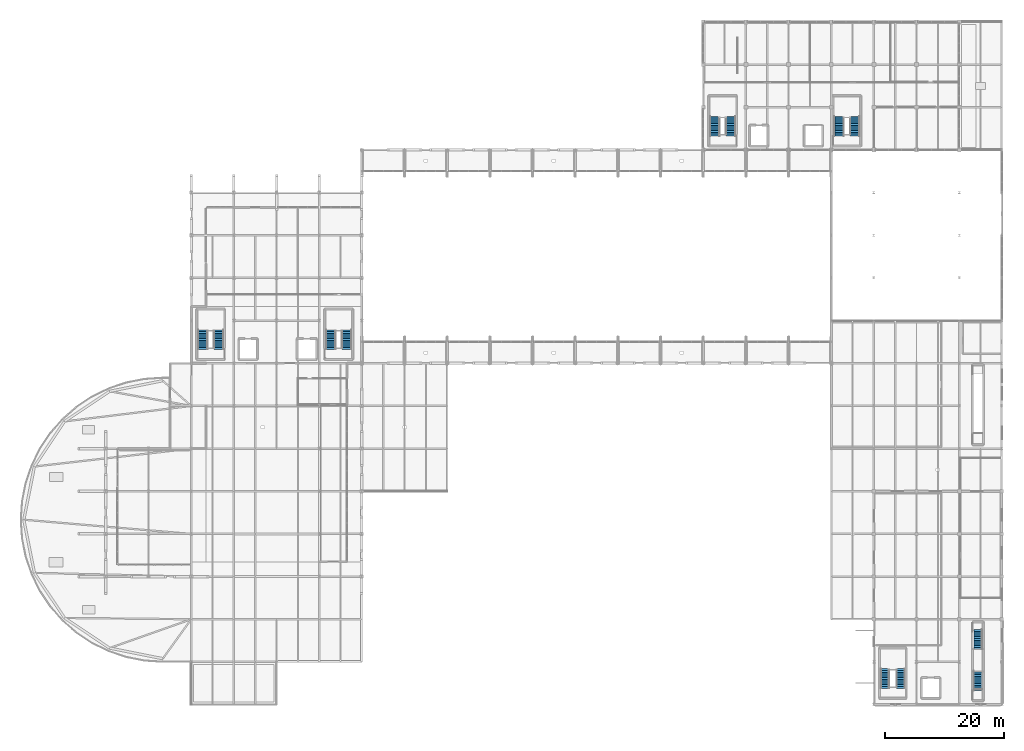
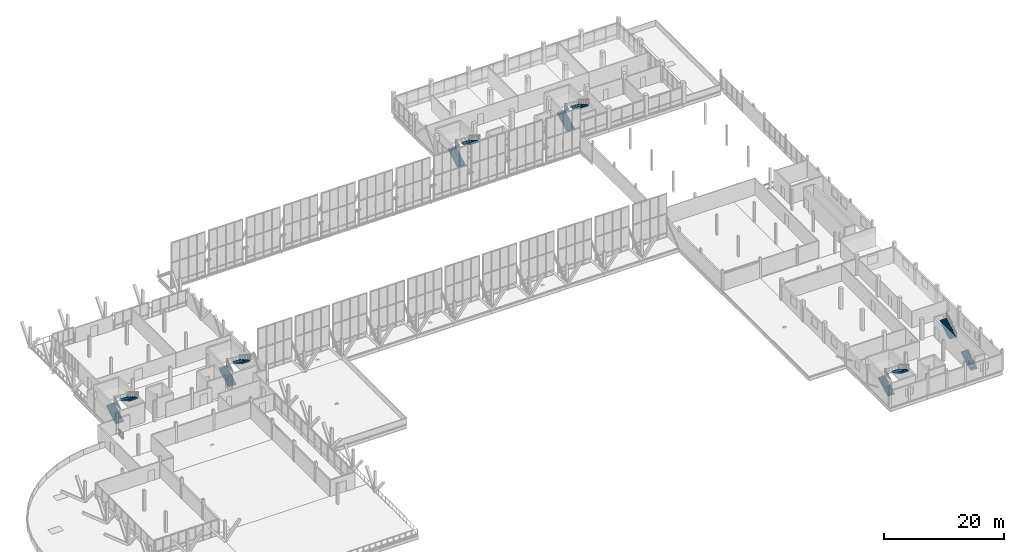
# One storey, part 97 of 102: 12 stair flights, 6 elements without a shape of their own.
"""IFC4 building model written with IfcOpenShell, lengths in metres."""

import ifcopenshell
import ifcopenshell.guid

model = None  # the IFC model being written
_history = None  # IfcOwnerHistory: only IFC2X3 demands one
_inside = {}  # id of a spatial element -> (the spatial element, [elements in it])
_under = {}  # id of a project, library or spatial element -> (it, [spatial elements below it])
_declared = {}  # id of a project -> (the project, [libraries it declares])
_typed = {}  # id of a type object -> (the type object, [elements of that type])
_made_of = {}  # id of a material, layer set ... -> (it, [elements and type objects made of it])


def new_model(schema):
    """Start an empty IFC model of exactly this schema.

    Asked for "IFC4X3", IfcOpenShell would pick the latest addendum, in which some entities
    have other attributes; the version numbers below select the first issue.
    IFC2X3 requires an IfcOwnerHistory on every rooted entity: one is made here for all.
    """
    global model, _history
    if schema == "IFC4X3":
        model = ifcopenshell.file(schema_version=(4, 3, 0, 0))
    else:
        model = ifcopenshell.file(schema=schema)
    _inside.clear()
    _under.clear()
    _declared.clear()
    _typed.clear()
    _made_of.clear()
    _history = None
    if model.schema == "IFC2X3":
        org = make("IfcOrganization", Name="unknown")
        user = make(
            "IfcPersonAndOrganization",
            ThePerson=make("IfcPerson", FamilyName="unknown"),
            TheOrganization=org,
        )
        app = make(
            "IfcApplication",
            ApplicationDeveloper=org,
            Version="unknown",
            ApplicationFullName="unknown",
            ApplicationIdentifier="unknown",
        )
        _history = make(
            "IfcOwnerHistory",
            OwningUser=user,
            OwningApplication=app,
            ChangeAction="ADDED",
            CreationDate=0,
        )
    return model


def make(cls, **values):
    """One entity of the class cls with the attributes given. An attribute that is None is left unset."""
    return model.create_entity(
        cls, **{name: value for name, value in values.items() if value is not None}
    )


def rooted(cls, **values):
    """An entity with a GlobalId (a new one), such as an element, a storey or a relation."""
    return make(cls, GlobalId=ifcopenshell.guid.new(), OwnerHistory=_history, **values)


def si_unit(unit_type, name, prefix=None):
    """IfcSIUnit, for example si_unit("LENGTHUNIT", "METRE", prefix="MILLI")."""
    return make("IfcSIUnit", UnitType=unit_type, Prefix=prefix, Name=name)


def assignment(units):
    """IfcUnitAssignment: the units of a project."""
    return None if units is None else make("IfcUnitAssignment", Units=units)


def point(xyz):
    """IfcCartesianPoint."""
    return None if xyz is None else make("IfcCartesianPoint", Coordinates=xyz)


def direction(xyz):
    """IfcDirection."""
    return None if xyz is None else make("IfcDirection", DirectionRatios=xyz)


def frame(location, z_axis=None, x_axis=None):
    """IfcAxis2Placement3D, a coordinate frame: its origin and axes. An axis left out is left unset."""
    return make(
        "IfcAxis2Placement3D",
        Location=point(location),
        Axis=direction(z_axis),
        RefDirection=direction(x_axis),
    )


def origin():
    """The frame at (0, 0, 0) with its axes left unset."""
    return frame((0.0, 0.0, 0.0))


def place(relative_to, where):
    """IfcLocalPlacement: puts the frame where relative to a parent placement (None: the world)."""
    return make(
        "IfcLocalPlacement", PlacementRelTo=relative_to, RelativePlacement=where
    )


def context(
    kind, dimensions, precision=None, world=None, true_north=None, identifier=None
):
    """IfcGeometricRepresentationContext, for example the 3D "Model" context."""
    return make(
        "IfcGeometricRepresentationContext",
        ContextIdentifier=identifier,
        ContextType=kind,
        CoordinateSpaceDimension=dimensions,
        Precision=precision,
        WorldCoordinateSystem=world,
        TrueNorth=true_north,
    )


def subcontext(parent, identifier, kind, view, scale=None):
    """IfcGeometricRepresentationSubContext, for example "Body" below "Model"."""
    return make(
        "IfcGeometricRepresentationSubContext",
        ContextIdentifier=identifier,
        ContextType=kind,
        ParentContext=parent,
        TargetScale=scale,
        TargetView=view,
    )


def project(units=None, contexts=None):
    """IfcProject with its units and contexts."""
    return rooted(
        "IfcProject",
        Name="project",
        RepresentationContexts=contexts,
        UnitsInContext=assignment(units),
    )


def spatial(cls, under=None, at=None, **own):
    """A site, building, storey or space (cls), placed at a placement, below another one or the project."""
    s = rooted(cls, ObjectPlacement=at, **own)
    if under is not None:
        _under.setdefault(under.id(), (under, []))[1].append(s)
    return s


def polyline(points):
    """IfcPolyline through the points."""
    return make("IfcPolyline", Points=[point(p) for p in points])


def outline(outer, holes=None, kind="AREA"):
    """IfcArbitraryClosedProfileDef: a profile drawn as a closed curve; with holes, ...WithVoids."""
    if holes is None:
        return make("IfcArbitraryClosedProfileDef", ProfileType=kind, OuterCurve=outer)
    return make(
        "IfcArbitraryProfileDefWithVoids",
        ProfileType=kind,
        OuterCurve=outer,
        InnerCurves=holes,
    )


def extrude(swept, where, along, depth):
    """IfcExtrudedAreaSolid: the profile swept, set in the frame where, extruded along a direction by depth."""
    return make(
        "IfcExtrudedAreaSolid",
        SweptArea=swept,
        Position=where,
        ExtrudedDirection=direction(along),
        Depth=depth,
    )


def shape(context_of_items, identifier, shape_type, items):
    """IfcShapeRepresentation: the items that make up one representation, for example the "Body"."""
    return make(
        "IfcShapeRepresentation",
        ContextOfItems=context_of_items,
        RepresentationIdentifier=identifier,
        RepresentationType=shape_type,
        Items=items,
    )


def material(Name=None, Category=None):
    """IfcMaterial."""
    return make("IfcMaterial", Name=Name, Category=Category)


def made_of(thing, what):
    """Note that an element or type object is made of a material, layer set ...; save() writes the relation."""
    if what is not None:
        _made_of.setdefault(what.id(), (what, []))[1].append(thing)
    return thing


def type_object(cls, material=None, **own):
    """A type object (cls), such as IfcWallType, which elements share."""
    return made_of(rooted(cls, **own), material)


def element(
    cls,
    number,
    at=None,
    inside=None,
    cuts=None,
    type_object=None,
    material=None,
    context=None,
    identifier="Body",
    shape_type=None,
    held_by="IfcProductDefinitionShape",
    body=None,
    shapes=None,
    **own,
):
    """One element of the class cls, such as IfcWall. Its Tag is "e" and its number.

    at: its placement. inside: the storey or other place that contains it. cuts: it is an
    opening in that element (IfcRelVoidsElement). A single representation is given by context,
    identifier, shape_type and body (its items); several are given by shapes. held_by: the class
    of the entity that holds the representations. save() writes the other relations.
    """
    e = rooted(cls, Tag="e%d" % number, ObjectPlacement=at, **own)
    if body is not None:
        shapes = [shape(context, identifier, shape_type, body)]
    if shapes is not None:
        e.Representation = make(held_by, Representations=shapes)
    if inside is not None:
        _inside.setdefault(inside.id(), (inside, []))[1].append(e)
    if cuts is not None:
        rooted(
            "IfcRelVoidsElement", RelatingBuildingElement=cuts, RelatedOpeningElement=e
        )
    if type_object is not None:
        _typed.setdefault(type_object.id(), (type_object, []))[1].append(e)
    return made_of(e, material)


def aggregate(whole, parts):
    """IfcRelAggregates: a whole, such as a stair, and the parts it consists of."""
    return rooted("IfcRelAggregates", RelatingObject=whole, RelatedObjects=parts)


def save(model, path):
    """Write the relations noted so far, then the file.

    IfcRelAggregates (storeys below a building ...), IfcRelContainedInSpatialStructure (elements
    in a storey), IfcRelDefinesByType, IfcRelAssociatesMaterial and IfcRelDeclares: one each for
    every whole, place, type object, material and project.
    """
    for whole, parts in _under.values():
        aggregate(whole, parts)
    for where, things in _inside.values():
        rooted(
            "IfcRelContainedInSpatialStructure",
            RelatedElements=things,
            RelatingStructure=where,
        )
    for kind, things in _typed.values():
        rooted("IfcRelDefinesByType", RelatedObjects=things, RelatingType=kind)
    for what, things in _made_of.values():
        rooted("IfcRelAssociatesMaterial", RelatedObjects=things, RelatingMaterial=what)
    for by, libraries in _declared.values():
        rooted("IfcRelDeclares", RelatingContext=by, RelatedDefinitions=libraries)
    model.write(path)


model = new_model("IFC4")

# Units and contexts
model_context = context("Model", 3, precision=1e-05, world=origin(), true_north=direction((0.0, 1.0)))
body_context = subcontext(model_context, "Body", "Model", "MODEL_VIEW")
ifc_project = project(units=[si_unit("LENGTHUNIT", "METRE"), si_unit("AREAUNIT", "SQUARE_METRE"), si_unit("VOLUMEUNIT", "CUBIC_METRE"), si_unit("PLANEANGLEUNIT", "RADIAN"), si_unit("MASSUNIT", "GRAM", prefix="KILO")], contexts=[model_context])

# Site, building, storey
site_placement = place(None, origin())
site = spatial("IfcSite", under=ifc_project, at=site_placement, CompositionType="ELEMENT")
building_placement = place(site_placement, origin())
building = spatial("IfcBuilding", under=site, at=building_placement, Name="Yarey Park Central Fire Station", CompositionType="ELEMENT")
storey_placement = place(building_placement, frame((0.0, 0.0, 6.0)))
storey = spatial("IfcBuildingStorey", under=building, at=storey_placement, Name="L02", CompositionType="ELEMENT", Elevation=6.0)

# Stair, stair flights
ifc_material = material(Name="Concrete C40/50", Category="concrete")
stair_type_1 = type_object("IfcStairType", Name="INT_ST_2RUN_130_H42", PredefinedType="USERDEFINED", material=ifc_material)
stair_1_placement = place(storey_placement, origin())
stair_1 = element("IfcStair", 1, at=stair_1_placement, inside=storey, type_object=stair_type_1, Name="Exit Stair ST-5 L02", ObjectType="TWO_RUN_STAIR", PredefinedType="USERDEFINED")
stair_flight_type_1 = type_object("IfcStairFlightType", Name="INT_FLT_130_12", PredefinedType="STRAIGHT", material=ifc_material)
stair_flight_1_placement = place(storey_placement, frame((145.89990234375, 2.75, 0.0), z_axis=(0.0, 0.0, 1.0), x_axis=(0.0, 1.0, 0.0)))
stair_flight_1 = element("IfcStairFlight", 2, at=stair_flight_1_placement, type_object=stair_flight_type_1, Name="STAIR_C5_L02_F1", NumberOfRisers=12, NumberOfTreads=11, PredefinedType="STRAIGHT", RiserHeight=0.175, TreadLength=0.3, context=body_context, shape_type="SweptSolid", body=[
    extrude(outline(polyline([(0.0, 0.0), (0.0, 0.175048828125), (0.300048828125, 0.175048828125), (0.300048828125, 0.35009765625), (0.60009765625, 0.35009765625), (0.60009765625, 0.52490234375), (0.89990234375, 0.52490234375), (0.89990234375, 0.699951171875), (1.199951171875, 0.699951171875), (1.199951171875, 0.875), (1.5, 0.875), (1.5, 1.050048828125), (1.800048828125, 1.050048828125), (1.800048828125, 1.22509765625), (2.10009765625, 1.22509765625), (2.10009765625, 1.39990234375), (2.39990234375, 1.39990234375), (2.39990234375, 1.574951171875), (2.699951171875, 1.574951171875), (2.699951171875, 1.75), (3.0, 1.75), (3.0, 1.925048828125), (3.300048828125, 1.925048828125), (3.300048828125, 2.10009765625), (3.300048828125, 1.67041015625), (0.4365234375, 0.0), (0.0, 0.0)])), frame((0.0, 0.64990234375, 0.0), z_axis=(0.0, -1.0, 0.0), x_axis=(1.0, 0.0, 0.0)), (0.0, 0.0, 1.0), 1.300048828125),
])
stair_flight_2_placement = place(storey_placement, frame((148.5, 6.050048828125, 2.10009765625), z_axis=(0.0, 0.0, 1.0), x_axis=(0.0, -1.0, 0.0)))
stair_flight_2 = element("IfcStairFlight", 3, at=stair_flight_2_placement, type_object=stair_flight_type_1, Name="STAIR_C5_L02_F2", NumberOfRisers=12, NumberOfTreads=11, PredefinedType="STRAIGHT", RiserHeight=0.175, TreadLength=0.3, context=body_context, shape_type="SweptSolid", body=[
    extrude(outline(polyline([(0.0, 0.0), (0.0, 0.175048828125), (0.300048828125, 0.175048828125), (0.300048828125, 0.35009765625), (0.60009765625, 0.35009765625), (0.60009765625, 0.52490234375), (0.89990234375, 0.52490234375), (0.89990234375, 0.699951171875), (1.199951171875, 0.699951171875), (1.199951171875, 0.875), (1.5, 0.875), (1.5, 1.050048828125), (1.800048828125, 1.050048828125), (1.800048828125, 1.22509765625), (2.10009765625, 1.22509765625), (2.10009765625, 1.39990234375), (2.39990234375, 1.39990234375), (2.39990234375, 1.574951171875), (2.699951171875, 1.574951171875), (2.699951171875, 1.75), (3.0, 1.75), (3.0, 1.925048828125), (3.300048828125, 1.925048828125), (3.300048828125, 2.10009765625), (3.300048828125, 1.67041015625), (0.4365234375, 0.0), (0.0, 0.0)])), frame((0.0, 0.64990234375, 0.0), z_axis=(0.0, -1.0, 0.0), x_axis=(1.0, 0.0, 0.0)), (0.0, 0.0, 1.0), 1.300048828125),
])
aggregate(stair_1, [stair_flight_1, stair_flight_2])

stair_type_2 = type_object("IfcStairType", Name="INT_ST_1RUN_130_H42", PredefinedType="STRAIGHT_RUN_STAIR", material=ifc_material)
stair_2_placement = place(storey_placement, origin())
stair_2 = element("IfcStair", 4, at=stair_2_placement, inside=storey, type_object=stair_type_2, Name="Exit Stair ST-6 L02", PredefinedType="STRAIGHT_RUN_STAIR")
stair_flight_3_placement = place(storey_placement, frame((161.550048828125, 2.35009765625, 0.0), z_axis=(0.0, 0.0, 1.0), x_axis=(0.0, 1.0, 0.0)))
stair_flight_3 = element("IfcStairFlight", 5, at=stair_flight_3_placement, type_object=stair_flight_type_1, Name="STAIR_C6_L02_F1", NumberOfRisers=12, NumberOfTreads=11, PredefinedType="STRAIGHT", RiserHeight=0.175, TreadLength=0.3, context=body_context, shape_type="SweptSolid", body=[
    extrude(outline(polyline([(0.0, 0.0), (0.0, 0.175048828125), (0.300048828125, 0.175048828125), (0.300048828125, 0.35009765625), (0.60009765625, 0.35009765625), (0.60009765625, 0.52490234375), (0.89990234375, 0.52490234375), (0.89990234375, 0.699951171875), (1.199951171875, 0.699951171875), (1.199951171875, 0.875), (1.5, 0.875), (1.5, 1.050048828125), (1.800048828125, 1.050048828125), (1.800048828125, 1.22509765625), (2.10009765625, 1.22509765625), (2.10009765625, 1.39990234375), (2.39990234375, 1.39990234375), (2.39990234375, 1.574951171875), (2.699951171875, 1.574951171875), (2.699951171875, 1.75), (3.0, 1.75), (3.0, 1.925048828125), (3.300048828125, 1.925048828125), (3.300048828125, 2.10009765625), (3.300048828125, 1.67041015625), (0.4365234375, 0.0), (0.0, 0.0)])), frame((0.0, 0.64990234375, 0.0), z_axis=(0.0, -1.0, 0.0), x_axis=(1.0, 0.0, 0.0)), (0.0, 0.0, 1.0), 1.300048828125),
])
stair_flight_4_placement = place(storey_placement, frame((161.550048828125, 9.35009765625, 2.10009765625), z_axis=(0.0, 0.0, 1.0), x_axis=(0.0, 1.0, 0.0)))
stair_flight_4 = element("IfcStairFlight", 6, at=stair_flight_4_placement, type_object=stair_flight_type_1, Name="STAIR_C6_L02_F2", NumberOfRisers=12, NumberOfTreads=11, PredefinedType="STRAIGHT", RiserHeight=0.175, TreadLength=0.3, context=body_context, shape_type="SweptSolid", body=[
    extrude(outline(polyline([(0.0, 0.0), (0.0, 0.175048828125), (0.300048828125, 0.175048828125), (0.300048828125, 0.35009765625), (0.60009765625, 0.35009765625), (0.60009765625, 0.52490234375), (0.89990234375, 0.52490234375), (0.89990234375, 0.699951171875), (1.199951171875, 0.699951171875), (1.199951171875, 0.875), (1.5, 0.875), (1.5, 1.050048828125), (1.800048828125, 1.050048828125), (1.800048828125, 1.22509765625), (2.10009765625, 1.22509765625), (2.10009765625, 1.39990234375), (2.39990234375, 1.39990234375), (2.39990234375, 1.574951171875), (2.699951171875, 1.574951171875), (2.699951171875, 1.75), (3.0, 1.75), (3.0, 1.925048828125), (3.300048828125, 1.925048828125), (3.300048828125, 2.10009765625), (3.300048828125, 1.67041015625), (0.4365234375, 0.0), (0.0, 0.0)])), frame((0.0, 0.64990234375, 0.0), z_axis=(0.0, -1.0, 0.0), x_axis=(1.0, 0.0, 0.0)), (0.0, 0.0, 1.0), 1.300048828125),
])
aggregate(stair_2, [stair_flight_3, stair_flight_4])

stair_type_3 = type_object("IfcStairType", Name="INT_ST_2RUN_150_H42", PredefinedType="USERDEFINED", material=ifc_material)
stair_3_placement = place(storey_placement, origin())
stair_3 = element("IfcStair", 7, at=stair_3_placement, inside=storey, type_object=stair_type_3, Name="Exit Stair ST-1 L02", ObjectType="TWO_RUN_STAIR", PredefinedType="USERDEFINED")
stair_flight_type_2 = type_object("IfcStairFlightType", Name="INT_FLT_150_12", PredefinedType="STRAIGHT", material=ifc_material)
stair_flight_5_placement = place(storey_placement, frame((117.199951171875, 95.949951171875, 0.0), z_axis=(0.0, 0.0, 1.0), x_axis=(0.0, 1.0, 0.0)))
stair_flight_5 = element("IfcStairFlight", 8, at=stair_flight_5_placement, type_object=stair_flight_type_2, Name="STAIR_C1_L02_F1", NumberOfRisers=12, NumberOfTreads=11, PredefinedType="STRAIGHT", RiserHeight=0.175, TreadLength=0.3, context=body_context, shape_type="SweptSolid", body=[
    extrude(outline(polyline([(0.0, 0.0), (0.0, 0.175048828125), (0.300048828125, 0.175048828125), (0.300048828125, 0.35009765625), (0.60009765625, 0.35009765625), (0.60009765625, 0.52490234375), (0.89990234375, 0.52490234375), (0.89990234375, 0.699951171875), (1.199951171875, 0.699951171875), (1.199951171875, 0.875), (1.5, 0.875), (1.5, 1.050048828125), (1.800048828125, 1.050048828125), (1.800048828125, 1.22509765625), (2.10009765625, 1.22509765625), (2.10009765625, 1.39990234375), (2.39990234375, 1.39990234375), (2.39990234375, 1.574951171875), (2.699951171875, 1.574951171875), (2.699951171875, 1.75), (3.0, 1.75), (3.0, 1.925048828125), (3.300048828125, 1.925048828125), (3.300048828125, 2.10009765625), (3.300048828125, 1.67041015625), (0.4365234375, 0.0), (0.0, 0.0)])), frame((0.0, 0.75, 0.0), z_axis=(0.0, -1.0, 0.0), x_axis=(1.0, 0.0, 0.0)), (0.0, 0.0, 1.0), 1.5),
])
stair_flight_6_placement = place(storey_placement, frame((119.800048828125, 99.25, 2.10009765625), z_axis=(0.0, 0.0, 1.0), x_axis=(0.0, -1.0, 0.0)))
stair_flight_6 = element("IfcStairFlight", 9, at=stair_flight_6_placement, type_object=stair_flight_type_2, Name="STAIR_C1_L02_F2", NumberOfRisers=12, NumberOfTreads=11, PredefinedType="STRAIGHT", RiserHeight=0.175, TreadLength=0.3, context=body_context, shape_type="SweptSolid", body=[
    extrude(outline(polyline([(0.0, 0.0), (0.0, 0.175048828125), (0.300048828125, 0.175048828125), (0.300048828125, 0.35009765625), (0.60009765625, 0.35009765625), (0.60009765625, 0.52490234375), (0.89990234375, 0.52490234375), (0.89990234375, 0.699951171875), (1.199951171875, 0.699951171875), (1.199951171875, 0.875), (1.5, 0.875), (1.5, 1.050048828125), (1.800048828125, 1.050048828125), (1.800048828125, 1.22509765625), (2.10009765625, 1.22509765625), (2.10009765625, 1.39990234375), (2.39990234375, 1.39990234375), (2.39990234375, 1.574951171875), (2.699951171875, 1.574951171875), (2.699951171875, 1.75), (3.0, 1.75), (3.0, 1.925048828125), (3.300048828125, 1.925048828125), (3.300048828125, 2.10009765625), (3.300048828125, 1.67041015625), (0.4365234375, 0.0), (0.0, 0.0)])), frame((0.0, 0.75, 0.0), z_axis=(0.0, -1.0, 0.0), x_axis=(1.0, 0.0, 0.0)), (0.0, 0.0, 1.0), 1.5),
])
aggregate(stair_3, [stair_flight_5, stair_flight_6])

stair_4_placement = place(storey_placement, origin())
stair_4 = element("IfcStair", 10, at=stair_4_placement, inside=storey, type_object=stair_type_3, Name="Exit Stair ST-2 L02", ObjectType="TWO_RUN_STAIR", PredefinedType="USERDEFINED")
stair_flight_7_placement = place(storey_placement, frame((138.14990234375, 95.949951171875, 0.0), z_axis=(0.0, 0.0, 1.0), x_axis=(0.0, 1.0, 0.0)))
stair_flight_7 = element("IfcStairFlight", 11, at=stair_flight_7_placement, type_object=stair_flight_type_2, Name="STAIR_C2_L02_F1", NumberOfRisers=12, NumberOfTreads=11, PredefinedType="STRAIGHT", RiserHeight=0.175, TreadLength=0.3, context=body_context, shape_type="SweptSolid", body=[
    extrude(outline(polyline([(0.0, 0.0), (0.0, 0.175048828125), (0.300048828125, 0.175048828125), (0.300048828125, 0.35009765625), (0.60009765625, 0.35009765625), (0.60009765625, 0.52490234375), (0.89990234375, 0.52490234375), (0.89990234375, 0.699951171875), (1.199951171875, 0.699951171875), (1.199951171875, 0.875), (1.5, 0.875), (1.5, 1.050048828125), (1.800048828125, 1.050048828125), (1.800048828125, 1.22509765625), (2.10009765625, 1.22509765625), (2.10009765625, 1.39990234375), (2.39990234375, 1.39990234375), (2.39990234375, 1.574951171875), (2.699951171875, 1.574951171875), (2.699951171875, 1.75), (3.0, 1.75), (3.0, 1.925048828125), (3.300048828125, 1.925048828125), (3.300048828125, 2.10009765625), (3.300048828125, 1.67041015625), (0.4365234375, 0.0), (0.0, 0.0)])), frame((0.0, 0.75, 0.0), z_axis=(0.0, -1.0, 0.0), x_axis=(1.0, 0.0, 0.0)), (0.0, 0.0, 1.0), 1.5),
])
stair_flight_8_placement = place(storey_placement, frame((140.75, 99.25, 2.10009765625), z_axis=(0.0, 0.0, 1.0), x_axis=(0.0, -1.0, 0.0)))
stair_flight_8 = element("IfcStairFlight", 12, at=stair_flight_8_placement, type_object=stair_flight_type_2, Name="STAIR_C2_L02_F2", NumberOfRisers=12, NumberOfTreads=11, PredefinedType="STRAIGHT", RiserHeight=0.175, TreadLength=0.3, context=body_context, shape_type="SweptSolid", body=[
    extrude(outline(polyline([(0.0, 0.0), (0.0, 0.175048828125), (0.300048828125, 0.175048828125), (0.300048828125, 0.35009765625), (0.60009765625, 0.35009765625), (0.60009765625, 0.52490234375), (0.89990234375, 0.52490234375), (0.89990234375, 0.699951171875), (1.199951171875, 0.699951171875), (1.199951171875, 0.875), (1.5, 0.875), (1.5, 1.050048828125), (1.800048828125, 1.050048828125), (1.800048828125, 1.22509765625), (2.10009765625, 1.22509765625), (2.10009765625, 1.39990234375), (2.39990234375, 1.39990234375), (2.39990234375, 1.574951171875), (2.699951171875, 1.574951171875), (2.699951171875, 1.75), (3.0, 1.75), (3.0, 1.925048828125), (3.300048828125, 1.925048828125), (3.300048828125, 2.10009765625), (3.300048828125, 1.67041015625), (0.4365234375, 0.0), (0.0, 0.0)])), frame((0.0, 0.75, 0.0), z_axis=(0.0, -1.0, 0.0), x_axis=(1.0, 0.0, 0.0)), (0.0, 0.0, 1.0), 1.5),
])
aggregate(stair_4, [stair_flight_7, stair_flight_8])

stair_5_placement = place(storey_placement, origin())
stair_5 = element("IfcStair", 13, at=stair_5_placement, inside=storey, type_object=stair_type_3, Name="Exit Stair ST-3 L02", ObjectType="TWO_RUN_STAIR", PredefinedType="USERDEFINED")
stair_flight_9_placement = place(storey_placement, frame((30.800048828125, 59.949951171875, 0.0), z_axis=(0.0, 0.0, 1.0), x_axis=(0.0, 1.0, 0.0)))
stair_flight_9 = element("IfcStairFlight", 14, at=stair_flight_9_placement, type_object=stair_flight_type_2, Name="STAIR_C3_L02_F1", NumberOfRisers=12, NumberOfTreads=11, PredefinedType="STRAIGHT", RiserHeight=0.175, TreadLength=0.3, context=body_context, shape_type="SweptSolid", body=[
    extrude(outline(polyline([(0.0, 0.0), (0.0, 0.175048828125), (0.300048828125, 0.175048828125), (0.300048828125, 0.35009765625), (0.60009765625, 0.35009765625), (0.60009765625, 0.52490234375), (0.89990234375, 0.52490234375), (0.89990234375, 0.699951171875), (1.199951171875, 0.699951171875), (1.199951171875, 0.875), (1.5, 0.875), (1.5, 1.050048828125), (1.800048828125, 1.050048828125), (1.800048828125, 1.22509765625), (2.10009765625, 1.22509765625), (2.10009765625, 1.39990234375), (2.39990234375, 1.39990234375), (2.39990234375, 1.574951171875), (2.699951171875, 1.574951171875), (2.699951171875, 1.75), (3.0, 1.75), (3.0, 1.925048828125), (3.300048828125, 1.925048828125), (3.300048828125, 2.10009765625), (3.300048828125, 1.67041015625), (0.4365234375, 0.0), (0.0, 0.0)])), frame((0.0, 0.75, 0.0), z_axis=(0.0, -1.0, 0.0), x_axis=(1.0, 0.0, 0.0)), (0.0, 0.0, 1.0), 1.5),
])
stair_flight_10_placement = place(storey_placement, frame((33.39990234375, 63.25, 2.10009765625), z_axis=(0.0, 0.0, 1.0), x_axis=(0.0, -1.0, 0.0)))
stair_flight_10 = element("IfcStairFlight", 15, at=stair_flight_10_placement, type_object=stair_flight_type_2, Name="STAIR_C3_L02_F2", NumberOfRisers=12, NumberOfTreads=11, PredefinedType="STRAIGHT", RiserHeight=0.175, TreadLength=0.3, context=body_context, shape_type="SweptSolid", body=[
    extrude(outline(polyline([(0.0, 0.0), (0.0, 0.175048828125), (0.300048828125, 0.175048828125), (0.300048828125, 0.35009765625), (0.60009765625, 0.35009765625), (0.60009765625, 0.52490234375), (0.89990234375, 0.52490234375), (0.89990234375, 0.699951171875), (1.199951171875, 0.699951171875), (1.199951171875, 0.875), (1.5, 0.875), (1.5, 1.050048828125), (1.800048828125, 1.050048828125), (1.800048828125, 1.22509765625), (2.10009765625, 1.22509765625), (2.10009765625, 1.39990234375), (2.39990234375, 1.39990234375), (2.39990234375, 1.574951171875), (2.699951171875, 1.574951171875), (2.699951171875, 1.75), (3.0, 1.75), (3.0, 1.925048828125), (3.300048828125, 1.925048828125), (3.300048828125, 2.10009765625), (3.300048828125, 1.67041015625), (0.4365234375, 0.0), (0.0, 0.0)])), frame((0.0, 0.75, 0.0), z_axis=(0.0, -1.0, 0.0), x_axis=(1.0, 0.0, 0.0)), (0.0, 0.0, 1.0), 1.5),
])
aggregate(stair_5, [stair_flight_9, stair_flight_10])

stair_6_placement = place(storey_placement, origin())
stair_6 = element("IfcStair", 16, at=stair_6_placement, inside=storey, type_object=stair_type_3, Name="Exit Stair ST-4 L02", ObjectType="TWO_RUN_STAIR", PredefinedType="USERDEFINED")
stair_flight_11_placement = place(storey_placement, frame((52.39990234375, 59.949951171875, 0.0), z_axis=(0.0, 0.0, 1.0), x_axis=(0.0, 1.0, 0.0)))
stair_flight_11 = element("IfcStairFlight", 17, at=stair_flight_11_placement, type_object=stair_flight_type_2, Name="STAIR_C4_L02_F1", NumberOfRisers=12, NumberOfTreads=11, PredefinedType="STRAIGHT", RiserHeight=0.175, TreadLength=0.3, context=body_context, shape_type="SweptSolid", body=[
    extrude(outline(polyline([(0.0, 0.0), (0.0, 0.175048828125), (0.300048828125, 0.175048828125), (0.300048828125, 0.35009765625), (0.60009765625, 0.35009765625), (0.60009765625, 0.52490234375), (0.89990234375, 0.52490234375), (0.89990234375, 0.699951171875), (1.199951171875, 0.699951171875), (1.199951171875, 0.875), (1.5, 0.875), (1.5, 1.050048828125), (1.800048828125, 1.050048828125), (1.800048828125, 1.22509765625), (2.10009765625, 1.22509765625), (2.10009765625, 1.39990234375), (2.39990234375, 1.39990234375), (2.39990234375, 1.574951171875), (2.699951171875, 1.574951171875), (2.699951171875, 1.75), (3.0, 1.75), (3.0, 1.925048828125), (3.300048828125, 1.925048828125), (3.300048828125, 2.10009765625), (3.300048828125, 1.67041015625), (0.4365234375, 0.0), (0.0, 0.0)])), frame((0.0, 0.75, 0.0), z_axis=(0.0, -1.0, 0.0), x_axis=(1.0, 0.0, 0.0)), (0.0, 0.0, 1.0), 1.5),
])
stair_flight_12_placement = place(storey_placement, frame((55.0, 63.25, 2.10009765625), z_axis=(0.0, 0.0, 1.0), x_axis=(0.0, -1.0, 0.0)))
stair_flight_12 = element("IfcStairFlight", 18, at=stair_flight_12_placement, type_object=stair_flight_type_2, Name="STAIR_C4_L02_F2", NumberOfRisers=12, NumberOfTreads=11, PredefinedType="STRAIGHT", RiserHeight=0.175, TreadLength=0.3, context=body_context, shape_type="SweptSolid", body=[
    extrude(outline(polyline([(0.0, 0.0), (0.0, 0.175048828125), (0.300048828125, 0.175048828125), (0.300048828125, 0.35009765625), (0.60009765625, 0.35009765625), (0.60009765625, 0.52490234375), (0.89990234375, 0.52490234375), (0.89990234375, 0.699951171875), (1.199951171875, 0.699951171875), (1.199951171875, 0.875), (1.5, 0.875), (1.5, 1.050048828125), (1.800048828125, 1.050048828125), (1.800048828125, 1.22509765625), (2.10009765625, 1.22509765625), (2.10009765625, 1.39990234375), (2.39990234375, 1.39990234375), (2.39990234375, 1.574951171875), (2.699951171875, 1.574951171875), (2.699951171875, 1.75), (3.0, 1.75), (3.0, 1.925048828125), (3.300048828125, 1.925048828125), (3.300048828125, 2.10009765625), (3.300048828125, 1.67041015625), (0.4365234375, 0.0), (0.0, 0.0)])), frame((0.0, 0.75, 0.0), z_axis=(0.0, -1.0, 0.0), x_axis=(1.0, 0.0, 0.0)), (0.0, 0.0, 1.0), 1.5),
])
aggregate(stair_6, [stair_flight_11, stair_flight_12])

save(model, "model.ifc")
